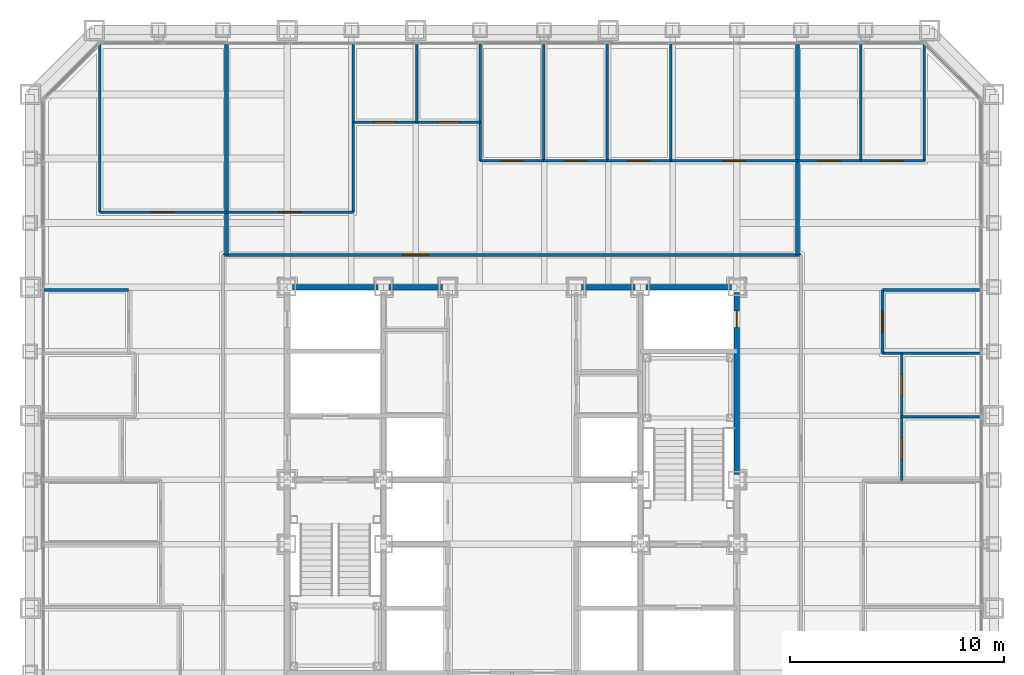
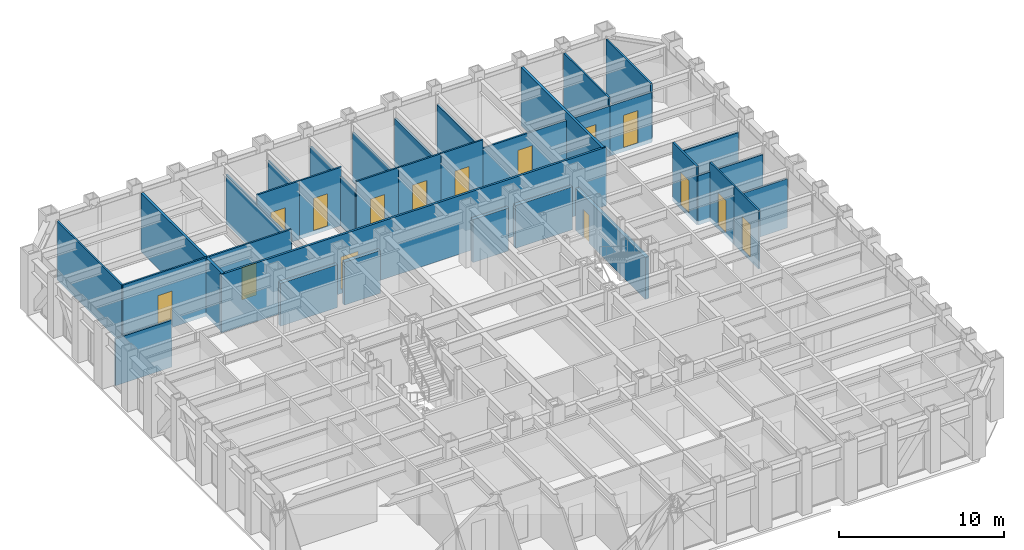
# One storey, part 11 of 16: 34 walls, 15 doors, 15 openings.
"""IFC4 building model written with IfcOpenShell, lengths in metres."""

from ifc_helpers import new_model, si_unit, direction, frame, frame_2d, origin, place, context, subcontext, project, spatial, rectangle, extrude, material, layer, layer_set, type_object, element, fill, save


model = new_model("IFC4")

# Units and contexts
model_context = context("Model", 3, precision=1e-05, world=origin(), true_north=direction((0.0, 1.0)))
body_context = subcontext(model_context, "Body", "Model", "MODEL_VIEW")
ifc_project = project(units=[si_unit("LENGTHUNIT", "METRE"), si_unit("AREAUNIT", "SQUARE_METRE"), si_unit("VOLUMEUNIT", "CUBIC_METRE"), si_unit("PLANEANGLEUNIT", "RADIAN"), si_unit("MASSUNIT", "GRAM", prefix="KILO")], contexts=[model_context])

# Site, building, storey
site_placement = place(None, origin())
site = spatial("IfcSite", under=ifc_project, at=site_placement, CompositionType="ELEMENT")
building_placement = place(site_placement, origin())
building = spatial("IfcBuilding", under=site, at=building_placement, Name="Chuquiago Exchange Tower", CompositionType="ELEMENT")
storey_placement = place(building_placement, frame((0.0, 0.0, 73.800048828125)))
storey = spatial("IfcBuildingStorey", under=building, at=storey_placement, Name="L15", CompositionType="ELEMENT", Elevation=73.800048828125)

# Walls
ifc_material_1 = material(Name="Concrete masonry, fully grouted", Category="masonry")
ifc_layer_1 = layer(ifc_material_1, 0.25)
ifc_layer_set_1 = layer_set([ifc_layer_1], Name="W1 core wall 250")
wall_type_1 = type_object("IfcWallType", Name="W1 core wall 250", PredefinedType="SOLIDWALL", material=ifc_layer_set_1)
wall_1_placement = place(storey_placement, frame((12.25, 33.0, 0.0), z_axis=(0.0, 0.0, 1.0), x_axis=(1.0, 0.0, 0.0)))
element("IfcWall", 1, at=wall_1_placement, inside=storey, type_object=wall_type_1, Name="CW-L15-11-0", PredefinedType="SOLIDWALL", context=body_context, shape_type="SweptSolid", body=[
    extrude(rectangle(XDim=4.0, YDim=0.25, at=frame_2d((2.0, 0.0))), origin(), (0.0, 0.0, 1.0), 3.181396484375),
])
for number, where, z_axis, x_axis, name in (
    (2, (16.75, 33.0, 0.0), (0.0, 0.0, 1.0), (1.0, 0.0, 0.0), "CW-L15-11-1"),
    (3, (25.75, 33.0, 0.0), (0.0, 0.0, 1.0), (1.0, 0.0, 0.0), "CW-L15-12-0"),
):
    element("IfcWall", number, at=place(storey_placement, frame(where, z_axis=z_axis, x_axis=x_axis)), inside=storey, type_object=wall_type_1, Name=name, PredefinedType="SOLIDWALL", context=body_context, shape_type="SweptSolid", body=[
        extrude(rectangle(XDim=2.5, YDim=0.25, at=frame_2d((1.25, 0.0))), origin(), (0.0, 0.0, 1.0), 3.181396484375),
    ])
wall_2_placement = place(storey_placement, frame((28.75, 33.0, 0.0), z_axis=(0.0, 0.0, 1.0), x_axis=(1.0, 0.0, 0.0)))
element("IfcWall", 4, at=wall_2_placement, inside=storey, type_object=wall_type_1, Name="CW-L15-12-1", PredefinedType="SOLIDWALL", context=body_context, shape_type="SweptSolid", body=[
    extrude(rectangle(XDim=4.0, YDim=0.25, at=frame_2d((2.0, 0.0))), origin(), (0.0, 0.0, 1.0), 3.181396484375),
])

# Wall, opening, door
wall_3_placement = place(storey_placement, frame((33.0, 24.25, 0.0), z_axis=(0.0, 0.0, 1.0), x_axis=(0.0, 1.0, 0.0)))
wall_3 = element("IfcWall", 5, at=wall_3_placement, inside=storey, type_object=wall_type_1, Name="CW-L15-25-2", PredefinedType="SOLIDWALL", context=body_context, shape_type="SweptSolid", body=[
    extrude(rectangle(XDim=8.5, YDim=0.25, at=frame_2d((4.25, 0.0))), origin(), (0.0, 0.0, 1.0), 3.11279296875),
])
opening_1_placement = place(wall_3_placement, frame((6.875, 0.0, 0.0)))
opening_1 = element("IfcOpeningElement", 6, at=opening_1_placement, cuts=wall_3, Name="Opening L15-010", PredefinedType="OPENING", context=body_context, shape_type="SweptSolid", body=[
    extrude(rectangle(XDim=0.75, YDim=2.10009765625, at=frame_2d((0.375, 1.050048828125))), frame((0.0, 0.135009765625, 0.0), z_axis=(0.0, -1.0, 0.0), x_axis=(1.0, 0.0, 0.0)), (0.0, 0.0, 1.0), 0.27001953125),
])
ifc_material_2 = material(Name="Steel door, painted", Category="steel")
door_type_1 = type_object("IfcDoorType", Name="D6 riser access door 750x2100", OperationType="SINGLE_SWING_LEFT", PredefinedType="DOOR", material=ifc_material_2)
door_1_placement = place(opening_1_placement, frame((0.75, 0.0, 0.0), z_axis=(0.0, 0.0, 1.0), x_axis=(-1.0, 0.0, 0.0)))
door_1 = element("IfcDoor", 7, at=door_1_placement, inside=storey, type_object=door_type_1, Name="Riser RE2 door", OperationType="SINGLE_SWING_LEFT", OverallHeight=2.10009765625, OverallWidth=0.75, PredefinedType="DOOR", context=body_context, shape_type="SweptSolid", body=[
    extrude(rectangle(XDim=0.75, YDim=2.10009765625, at=frame_2d((0.375, 1.050048828125))), frame((0.0, 0.02490234375, 0.0), z_axis=(0.0, -1.0, 0.0), x_axis=(1.0, 0.0, 0.0)), (0.0, 0.0, 1.0), 0.050048828125),
])
fill(opening_1, door_1)

ifc_material_3 = material(Name="Gypsum board on steel studs, acoustic insulation", Category="steel")
ifc_layer_2 = layer(ifc_material_3, 0.14990234375)
ifc_layer_set_2 = layer_set([ifc_layer_2], Name="W11 corridor wall 150")
wall_type_2 = type_object("IfcWallType", Name="W11 corridor wall 150", PredefinedType="PARTITIONING", material=ifc_layer_set_2)
wall_4_placement = place(storey_placement, frame((9.0, 34.5, -0.300048828125), z_axis=(0.0, 0.0, 1.0), x_axis=(1.0, 0.0, 0.0)))
wall_4 = element("IfcWall", 8, at=wall_4_placement, inside=storey, type_object=wall_type_2, Name="PW-L15-CN", PredefinedType="PARTITIONING", context=body_context, shape_type="SweptSolid", body=[
    extrude(rectangle(XDim=27.0, YDim=0.14990234375, at=frame_2d((13.5, 0.0))), origin(), (0.0, 0.0, 1.0), 4.340087890625),
])
opening_2_placement = place(wall_4_placement, frame((8.39990234375, 0.0, 0.300048828125)))
opening_2 = element("IfcOpeningElement", 9, at=opening_2_placement, cuts=wall_4, Name="Opening L15-057", PredefinedType="OPENING", context=body_context, shape_type="SweptSolid", body=[
    extrude(rectangle(XDim=1.199951171875, YDim=2.39990234375, at=frame_2d((0.60009765625, 1.199951171875))), frame((0.0, 0.0849609375, 0.0), z_axis=(0.0, -1.0, 0.0), x_axis=(1.0, 0.0, 0.0)), (0.0, 0.0, 1.0), 0.169921875),
])
ifc_material_4 = material(Name="Timber door, laminate faced", Category="wood")
door_type_2 = type_object("IfcDoorType", Name="D13 suite entrance door 1200x2400", OperationType="SINGLE_SWING_LEFT", PredefinedType="DOOR", material=ifc_material_4)
door_2_placement = place(opening_2_placement, origin())
door_2 = element("IfcDoor", 10, at=door_2_placement, inside=storey, type_object=door_type_2, Name="North suite entrance door", OperationType="SINGLE_SWING_LEFT", OverallHeight=2.39990234375, OverallWidth=1.199951171875, PredefinedType="DOOR", context=body_context, shape_type="SweptSolid", body=[
    extrude(rectangle(XDim=1.199951171875, YDim=2.39990234375, at=frame_2d((0.60009765625, 1.199951171875))), frame((0.0, 0.02490234375, 0.0), z_axis=(0.0, -1.0, 0.0), x_axis=(1.0, 0.0, 0.0)), (0.0, 0.0, 1.0), 0.050048828125),
])
fill(opening_2, door_2)

# Walls
ifc_material_5 = material(Name="Gypsum board on twin steel studs, acoustic insulation", Category="steel")
ifc_layer_3 = layer(ifc_material_5, 0.175048828125)
ifc_layer_set_3 = layer_set([ifc_layer_3], Name="W12 tenant demising wall 175")
wall_type_3 = type_object("IfcWallType", Name="W12 tenant demising wall 175", PredefinedType="PARTITIONING", material=ifc_layer_set_3)
for number, where, z_axis, x_axis, name in (
    (11, (9.172119140625, 44.342529296875, -0.300048828125), (0.0, 0.0, 1.0), (0.0, -1.0, 0.0), "PW-L15-DN00917"),
    (12, (35.827880859375, 44.342529296875, -0.300048828125), (0.0, 0.0, 1.0), (0.0, -1.0, 0.0), "PW-L15-DN03583"),
):
    element("IfcWall", number, at=place(storey_placement, frame(where, z_axis=z_axis, x_axis=x_axis)), inside=storey, type_object=wall_type_3, Name=name, PredefinedType="PARTITIONING", context=body_context, shape_type="SweptSolid", body=[
        extrude(rectangle(XDim=9.842529296875, YDim=0.175048828125, at=frame_2d((4.92138671875, 0.0))), origin(), (0.0, 0.0, 1.0), 4.340087890625),
    ])
ifc_material_6 = material(Name="Gypsum board on steel studs", Category="steel")
ifc_layer_4 = layer(ifc_material_6, 0.1201171875)
ifc_layer_set_4 = layer_set([ifc_layer_4], Name="W4 partition 120")
wall_type_4 = type_object("IfcWallType", Name="W4 partition 120", PredefinedType="PARTITIONING", material=ifc_layer_set_4)
wall_5_placement = place(storey_placement, frame((44.342529296875, 26.942626953125, -0.300048828125), z_axis=(0.0, 0.0, 1.0), x_axis=(-1.0, 0.0, 0.0)))
element("IfcWall", 13, at=wall_5_placement, inside=storey, type_object=wall_type_4, Name="PW-L15-E02694", PredefinedType="PARTITIONING", context=body_context, shape_type="SweptSolid", body=[
    extrude(rectangle(XDim=3.642578125, YDim=0.1201171875, at=frame_2d((1.8212890625, 0.0))), origin(), (0.0, 0.0, 1.0), 3.646484375),
])
wall_6_placement = place(storey_placement, frame((44.342529296875, 29.904296875, -0.300048828125), z_axis=(0.0, 0.0, 1.0), x_axis=(-1.0, 0.0, 0.0)))
element("IfcWall", 14, at=wall_6_placement, inside=storey, type_object=wall_type_4, Name="PW-L15-E02990", PredefinedType="PARTITIONING", context=body_context, shape_type="SweptSolid", body=[
    extrude(rectangle(XDim=4.54248046875, YDim=0.1201171875, at=frame_2d((2.271240234375, 0.0))), origin(), (0.0, 0.0, 1.0), 3.646484375),
])
wall_7_placement = place(storey_placement, frame((44.342529296875, 32.8662109375, -0.300048828125), z_axis=(0.0, 0.0, 1.0), x_axis=(-1.0, 0.0, 0.0)))
element("IfcWall", 15, at=wall_7_placement, inside=storey, type_object=wall_type_4, Name="PW-L15-E03287", PredefinedType="PARTITIONING", context=body_context, shape_type="SweptSolid", body=[
    extrude(rectangle(XDim=4.54248046875, YDim=0.1201171875, at=frame_2d((2.271240234375, 0.0))), origin(), (0.0, 0.0, 1.0), 3.4814453125),
])

# Wall, opening, door
wall_8_placement = place(storey_placement, frame((40.699951171875, 23.98095703125, -0.300048828125), z_axis=(0.0, 0.0, 1.0), x_axis=(0.0, 1.0, 0.0)))
wall_8 = element("IfcWall", 16, at=wall_8_placement, inside=storey, type_object=wall_type_4, Name="PW-L15-EF02398", PredefinedType="PARTITIONING", context=body_context, shape_type="SweptSolid", body=[
    extrude(rectangle(XDim=2.961669921875, YDim=0.1201171875, at=frame_2d((1.48095703125, 0.0))), origin(), (0.0, 0.0, 1.0), 4.340087890625),
])
opening_3_placement = place(wall_8_placement, frame((0.98095703125, 0.0, 0.300048828125)))
opening_3 = element("IfcOpeningElement", 17, at=opening_3_placement, cuts=wall_8, Name="Opening L15-037", PredefinedType="OPENING", context=body_context, shape_type="SweptSolid", body=[
    extrude(rectangle(XDim=1.0, YDim=2.39990234375, at=frame_2d((0.5, 1.199951171875))), frame((0.0, 0.070068359375, 0.0), z_axis=(0.0, -1.0, 0.0), x_axis=(1.0, 0.0, 0.0)), (0.0, 0.0, 1.0), 0.14013671875),
])
ifc_material_7 = material(Name="Timber frame door, full height glazed panel", Category="wood")
door_type_3 = type_object("IfcDoorType", Name="D14 glazed meeting room door 1000x2400", OperationType="SINGLE_SWING_LEFT", PredefinedType="DOOR", material=ifc_material_7)
door_3_placement = place(opening_3_placement, frame((1.0, 0.0, 0.0), z_axis=(0.0, 0.0, 1.0), x_axis=(-1.0, 0.0, 0.0)))
door_3 = element("IfcDoor", 18, at=door_3_placement, inside=storey, type_object=door_type_3, Name="Focus room door", OperationType="SINGLE_SWING_LEFT", OverallHeight=2.39990234375, OverallWidth=1.0, PredefinedType="DOOR", context=body_context, shape_type="SweptSolid", body=[
    extrude(rectangle(XDim=1.0, YDim=2.39990234375, at=frame_2d((0.5, 1.199951171875))), frame((0.0, 0.02490234375, 0.0), z_axis=(0.0, -1.0, 0.0), x_axis=(1.0, 0.0, 0.0)), (0.0, 0.0, 1.0), 0.050048828125),
])
fill(opening_3, door_3)

wall_9_placement = place(storey_placement, frame((40.699951171875, 26.942626953125, -0.300048828125), z_axis=(0.0, 0.0, 1.0), x_axis=(0.0, 1.0, 0.0)))
wall_9 = element("IfcWall", 19, at=wall_9_placement, inside=storey, type_object=wall_type_4, Name="PW-L15-EF02694", PredefinedType="PARTITIONING", context=body_context, shape_type="SweptSolid", body=[
    extrude(rectangle(XDim=2.961669921875, YDim=0.1201171875, at=frame_2d((1.48095703125, 0.0))), origin(), (0.0, 0.0, 1.0), 4.340087890625),
])
opening_4_placement = place(wall_9_placement, frame((0.98095703125, 0.0, 0.300048828125)))
opening_4 = element("IfcOpeningElement", 20, at=opening_4_placement, cuts=wall_9, Name="Opening L15-038", PredefinedType="OPENING", context=body_context, shape_type="SweptSolid", body=[
    extrude(rectangle(XDim=1.0, YDim=2.39990234375, at=frame_2d((0.5, 1.199951171875))), frame((0.0, 0.070068359375, 0.0), z_axis=(0.0, -1.0, 0.0), x_axis=(1.0, 0.0, 0.0)), (0.0, 0.0, 1.0), 0.14013671875),
])
door_4_placement = place(opening_4_placement, frame((1.0, 0.0, 0.0), z_axis=(0.0, 0.0, 1.0), x_axis=(-1.0, 0.0, 0.0)))
door_4 = element("IfcDoor", 21, at=door_4_placement, inside=storey, type_object=door_type_3, Name="Focus room door", OperationType="SINGLE_SWING_RIGHT", OverallHeight=2.39990234375, OverallWidth=1.0, PredefinedType="DOOR", context=body_context, shape_type="SweptSolid", body=[
    extrude(rectangle(XDim=1.0, YDim=2.39990234375, at=frame_2d((0.5, 1.199951171875))), frame((0.0, 0.02490234375, 0.0), z_axis=(0.0, -1.0, 0.0), x_axis=(1.0, 0.0, 0.0)), (0.0, 0.0, 1.0), 0.050048828125),
])
fill(opening_4, door_4)

wall_10_placement = place(storey_placement, frame((39.800048828125, 29.904296875, -0.300048828125), z_axis=(0.0, 0.0, 1.0), x_axis=(0.0, 1.0, 0.0)))
wall_10 = element("IfcWall", 22, at=wall_10_placement, inside=storey, type_object=wall_type_4, Name="PW-L15-EF02990", PredefinedType="PARTITIONING", context=body_context, shape_type="SweptSolid", body=[
    extrude(rectangle(XDim=2.9619140625, YDim=0.1201171875, at=frame_2d((1.48095703125, 0.0))), origin(), (0.0, 0.0, 1.0), 4.340087890625),
])
opening_5_placement = place(wall_10_placement, frame((0.98095703125, 0.0, 0.300048828125)))
opening_5 = element("IfcOpeningElement", 23, at=opening_5_placement, cuts=wall_10, Name="Opening L15-039", PredefinedType="OPENING", context=body_context, shape_type="SweptSolid", body=[
    extrude(rectangle(XDim=1.0, YDim=2.39990234375, at=frame_2d((0.5, 1.199951171875))), frame((0.0, 0.070068359375, 0.0), z_axis=(0.0, -1.0, 0.0), x_axis=(1.0, 0.0, 0.0)), (0.0, 0.0, 1.0), 0.14013671875),
])
ifc_material_8 = material(Name="Timber door, laminate faced", Category="wood")
door_type_4 = type_object("IfcDoorType", Name="D9 room door 1000x2400", OperationType="SINGLE_SWING_LEFT", PredefinedType="DOOR", material=ifc_material_8)
door_5_placement = place(opening_5_placement, frame((1.0, 0.0, 0.0), z_axis=(0.0, 0.0, 1.0), x_axis=(-1.0, 0.0, 0.0)))
door_5 = element("IfcDoor", 24, at=door_5_placement, inside=storey, type_object=door_type_4, Name="Comms room door", OperationType="SINGLE_SWING_RIGHT", OverallHeight=2.39990234375, OverallWidth=1.0, PredefinedType="DOOR", context=body_context, shape_type="SweptSolid", body=[
    extrude(rectangle(XDim=1.0, YDim=2.39990234375, at=frame_2d((0.5, 1.199951171875))), frame((0.0, 0.02490234375, 0.0), z_axis=(0.0, -1.0, 0.0), x_axis=(1.0, 0.0, 0.0)), (0.0, 0.0, 1.0), 0.050048828125),
])
fill(opening_5, door_5)

# Walls
wall_11_placement = place(storey_placement, frame((3.24853515625, 44.333984375, -0.300048828125), z_axis=(0.0, 0.0, 1.0), x_axis=(0.0, -1.0, 0.0)))
element("IfcWall", 25, at=wall_11_placement, inside=storey, type_object=wall_type_4, Name="PW-L15-N00325", PredefinedType="PARTITIONING", context=body_context, shape_type="SweptSolid", body=[
    extrude(rectangle(XDim=7.833984375, YDim=0.1201171875, at=frame_2d((3.9169921875, 0.0))), origin(), (0.0, 0.0, 1.0), 4.340087890625),
])
wall_12_placement = place(storey_placement, frame((15.095703125, 44.342529296875, -0.300048828125), z_axis=(0.0, 0.0, 1.0), x_axis=(0.0, -1.0, 0.0)))
element("IfcWall", 26, at=wall_12_placement, inside=storey, type_object=wall_type_4, Name="PW-L15-N01510", PredefinedType="PARTITIONING", context=body_context, shape_type="SweptSolid", body=[
    extrude(rectangle(XDim=7.842529296875, YDim=0.1201171875, at=frame_2d((3.92138671875, 0.0))), origin(), (0.0, 0.0, 1.0), 3.646484375),
])
wall_13_placement = place(storey_placement, frame((18.057373046875, 44.342529296875, -0.300048828125), z_axis=(0.0, 0.0, 1.0), x_axis=(0.0, -1.0, 0.0)))
element("IfcWall", 27, at=wall_13_placement, inside=storey, type_object=wall_type_4, Name="PW-L15-N01806", PredefinedType="PARTITIONING", context=body_context, shape_type="SweptSolid", body=[
    extrude(rectangle(XDim=3.642578125, YDim=0.1201171875, at=frame_2d((1.8212890625, 0.0))), origin(), (0.0, 0.0, 1.0), 3.646484375),
])
for number, where, z_axis, x_axis, name in (
    (28, (21.01904296875, 44.342529296875, -0.300048828125), (0.0, 0.0, 1.0), (0.0, -1.0, 0.0), "PW-L15-N02102"),
    (29, (23.98095703125, 44.342529296875, -0.300048828125), (0.0, 0.0, 1.0), (0.0, -1.0, 0.0), "PW-L15-N02398"),
    (30, (26.942626953125, 44.342529296875, -0.300048828125), (0.0, 0.0, 1.0), (0.0, -1.0, 0.0), "PW-L15-N02694"),
    (31, (29.904296875, 44.342529296875, -0.300048828125), (0.0, 0.0, 1.0), (0.0, -1.0, 0.0), "PW-L15-N02990"),
):
    element("IfcWall", number, at=place(storey_placement, frame(where, z_axis=z_axis, x_axis=x_axis)), inside=storey, type_object=wall_type_4, Name=name, PredefinedType="PARTITIONING", context=body_context, shape_type="SweptSolid", body=[
        extrude(rectangle(XDim=5.442626953125, YDim=0.1201171875, at=frame_2d((2.72119140625, 0.0))), origin(), (0.0, 0.0, 1.0), 3.646484375),
    ])
wall_14_placement = place(storey_placement, frame((38.789794921875, 44.342529296875, -0.300048828125), z_axis=(0.0, 0.0, 1.0), x_axis=(0.0, -1.0, 0.0)))
element("IfcWall", 32, at=wall_14_placement, inside=storey, type_object=wall_type_4, Name="PW-L15-N03879", PredefinedType="PARTITIONING", context=body_context, shape_type="SweptSolid", body=[
    extrude(rectangle(XDim=5.442626953125, YDim=0.1201171875, at=frame_2d((2.72119140625, 0.0))), origin(), (0.0, 0.0, 1.0), 4.340087890625),
])
wall_15_placement = place(storey_placement, frame((41.75146484375, 44.333984375, -0.300048828125), z_axis=(0.0, 0.0, 1.0), x_axis=(0.0, -1.0, 0.0)))
element("IfcWall", 33, at=wall_15_placement, inside=storey, type_object=wall_type_4, Name="PW-L15-N04175", PredefinedType="PARTITIONING", context=body_context, shape_type="SweptSolid", body=[
    extrude(rectangle(XDim=5.43408203125, YDim=0.1201171875, at=frame_2d((2.717041015625, 0.0))), origin(), (0.0, 0.0, 1.0), 4.340087890625),
])

# Wall, opening, door
wall_16_placement = place(storey_placement, frame((3.24853515625, 36.5, -0.300048828125), z_axis=(0.0, 0.0, 1.0), x_axis=(1.0, 0.0, 0.0)))
wall_16 = element("IfcWall", 34, at=wall_16_placement, inside=storey, type_object=wall_type_4, Name="PW-L15-NF00325", PredefinedType="PARTITIONING", context=body_context, shape_type="SweptSolid", body=[
    extrude(rectangle(XDim=5.923583984375, YDim=0.1201171875, at=frame_2d((2.9619140625, 0.0))), origin(), (0.0, 0.0, 1.0), 4.340087890625),
])
opening_6_placement = place(wall_16_placement, frame((2.4619140625, 0.0, 0.300048828125)))
opening_6 = element("IfcOpeningElement", 35, at=opening_6_placement, cuts=wall_16, Name="Opening L15-040", PredefinedType="OPENING", context=body_context, shape_type="SweptSolid", body=[
    extrude(rectangle(XDim=1.0, YDim=2.39990234375, at=frame_2d((0.5, 1.199951171875))), frame((0.0, 0.070068359375, 0.0), z_axis=(0.0, -1.0, 0.0), x_axis=(1.0, 0.0, 0.0)), (0.0, 0.0, 1.0), 0.14013671875),
])
door_6_placement = place(opening_6_placement, origin())
door_6 = element("IfcDoor", 36, at=door_6_placement, inside=storey, type_object=door_type_4, Name="Settlement office door", OperationType="SINGLE_SWING_RIGHT", OverallHeight=2.39990234375, OverallWidth=1.0, PredefinedType="DOOR", context=body_context, shape_type="SweptSolid", body=[
    extrude(rectangle(XDim=1.0, YDim=2.39990234375, at=frame_2d((0.5, 1.199951171875))), frame((0.0, 0.02490234375, 0.0), z_axis=(0.0, -1.0, 0.0), x_axis=(1.0, 0.0, 0.0)), (0.0, 0.0, 1.0), 0.050048828125),
])
fill(opening_6, door_6)

wall_17_placement = place(storey_placement, frame((9.172119140625, 36.5, -0.300048828125), z_axis=(0.0, 0.0, 1.0), x_axis=(1.0, 0.0, 0.0)))
wall_17 = element("IfcWall", 37, at=wall_17_placement, inside=storey, type_object=wall_type_4, Name="PW-L15-NF00917", PredefinedType="PARTITIONING", context=body_context, shape_type="SweptSolid", body=[
    extrude(rectangle(XDim=5.923583984375, YDim=0.1201171875, at=frame_2d((2.9619140625, 0.0))), origin(), (0.0, 0.0, 1.0), 4.340087890625),
])
opening_7_placement = place(wall_17_placement, frame((2.461669921875, 0.0, 0.300048828125)))
opening_7 = element("IfcOpeningElement", 38, at=opening_7_placement, cuts=wall_17, Name="Opening L15-041", PredefinedType="OPENING", context=body_context, shape_type="SweptSolid", body=[
    extrude(rectangle(XDim=1.0, YDim=2.39990234375, at=frame_2d((0.5, 1.199951171875))), frame((0.0, 0.070068359375, 0.0), z_axis=(0.0, -1.0, 0.0), x_axis=(1.0, 0.0, 0.0)), (0.0, 0.0, 1.0), 0.14013671875),
])
door_7_placement = place(opening_7_placement, origin())
door_7 = element("IfcDoor", 39, at=door_7_placement, inside=storey, type_object=door_type_4, Name="Settlement office door", OperationType="SINGLE_SWING_LEFT", OverallHeight=2.39990234375, OverallWidth=1.0, PredefinedType="DOOR", context=body_context, shape_type="SweptSolid", body=[
    extrude(rectangle(XDim=1.0, YDim=2.39990234375, at=frame_2d((0.5, 1.199951171875))), frame((0.0, 0.02490234375, 0.0), z_axis=(0.0, -1.0, 0.0), x_axis=(1.0, 0.0, 0.0)), (0.0, 0.0, 1.0), 0.050048828125),
])
fill(opening_7, door_7)

wall_18_placement = place(storey_placement, frame((15.095703125, 40.699951171875, -0.300048828125), z_axis=(0.0, 0.0, 1.0), x_axis=(1.0, 0.0, 0.0)))
wall_18 = element("IfcWall", 40, at=wall_18_placement, inside=storey, type_object=wall_type_4, Name="PW-L15-NF01510", PredefinedType="PARTITIONING", context=body_context, shape_type="SweptSolid", body=[
    extrude(rectangle(XDim=2.961669921875, YDim=0.1201171875, at=frame_2d((1.48095703125, 0.0))), origin(), (0.0, 0.0, 1.0), 4.340087890625),
])
opening_8_placement = place(wall_18_placement, frame((0.98095703125, 0.0, 0.300048828125)))
opening_8 = element("IfcOpeningElement", 41, at=opening_8_placement, cuts=wall_18, Name="Opening L15-042", PredefinedType="OPENING", context=body_context, shape_type="SweptSolid", body=[
    extrude(rectangle(XDim=1.0, YDim=2.39990234375, at=frame_2d((0.5, 1.199951171875))), frame((0.0, 0.070068359375, 0.0), z_axis=(0.0, -1.0, 0.0), x_axis=(1.0, 0.0, 0.0)), (0.0, 0.0, 1.0), 0.14013671875),
])
door_8_placement = place(opening_8_placement, origin())
door_8 = element("IfcDoor", 42, at=door_8_placement, inside=storey, type_object=door_type_3, Name="Focus room door", OperationType="SINGLE_SWING_LEFT", OverallHeight=2.39990234375, OverallWidth=1.0, PredefinedType="DOOR", context=body_context, shape_type="SweptSolid", body=[
    extrude(rectangle(XDim=1.0, YDim=2.39990234375, at=frame_2d((0.5, 1.199951171875))), frame((0.0, 0.02490234375, 0.0), z_axis=(0.0, -1.0, 0.0), x_axis=(1.0, 0.0, 0.0)), (0.0, 0.0, 1.0), 0.050048828125),
])
fill(opening_8, door_8)

wall_19_placement = place(storey_placement, frame((18.057373046875, 40.699951171875, -0.300048828125), z_axis=(0.0, 0.0, 1.0), x_axis=(1.0, 0.0, 0.0)))
wall_19 = element("IfcWall", 43, at=wall_19_placement, inside=storey, type_object=wall_type_4, Name="PW-L15-NF01806", PredefinedType="PARTITIONING", context=body_context, shape_type="SweptSolid", body=[
    extrude(rectangle(XDim=2.961669921875, YDim=0.1201171875, at=frame_2d((1.48095703125, 0.0))), origin(), (0.0, 0.0, 1.0), 4.340087890625),
])
opening_9_placement = place(wall_19_placement, frame((0.98095703125, 0.0, 0.300048828125)))
opening_9 = element("IfcOpeningElement", 44, at=opening_9_placement, cuts=wall_19, Name="Opening L15-043", PredefinedType="OPENING", context=body_context, shape_type="SweptSolid", body=[
    extrude(rectangle(XDim=1.0, YDim=2.39990234375, at=frame_2d((0.5, 1.199951171875))), frame((0.0, 0.070068359375, 0.0), z_axis=(0.0, -1.0, 0.0), x_axis=(1.0, 0.0, 0.0)), (0.0, 0.0, 1.0), 0.14013671875),
])
door_9_placement = place(opening_9_placement, origin())
door_9 = element("IfcDoor", 45, at=door_9_placement, inside=storey, type_object=door_type_3, Name="Focus room door", OperationType="SINGLE_SWING_RIGHT", OverallHeight=2.39990234375, OverallWidth=1.0, PredefinedType="DOOR", context=body_context, shape_type="SweptSolid", body=[
    extrude(rectangle(XDim=1.0, YDim=2.39990234375, at=frame_2d((0.5, 1.199951171875))), frame((0.0, 0.02490234375, 0.0), z_axis=(0.0, -1.0, 0.0), x_axis=(1.0, 0.0, 0.0)), (0.0, 0.0, 1.0), 0.050048828125),
])
fill(opening_9, door_9)

wall_20_placement = place(storey_placement, frame((21.01904296875, 38.89990234375, -0.300048828125), z_axis=(0.0, 0.0, 1.0), x_axis=(1.0, 0.0, 0.0)))
wall_20 = element("IfcWall", 46, at=wall_20_placement, inside=storey, type_object=wall_type_4, Name="PW-L15-NF02102", PredefinedType="PARTITIONING", context=body_context, shape_type="SweptSolid", body=[
    extrude(rectangle(XDim=2.9619140625, YDim=0.1201171875, at=frame_2d((1.48095703125, 0.0))), origin(), (0.0, 0.0, 1.0), 4.340087890625),
])
opening_10_placement = place(wall_20_placement, frame((0.98095703125, 0.0, 0.300048828125)))
opening_10 = element("IfcOpeningElement", 47, at=opening_10_placement, cuts=wall_20, Name="Opening L15-044", PredefinedType="OPENING", context=body_context, shape_type="SweptSolid", body=[
    extrude(rectangle(XDim=1.0, YDim=2.39990234375, at=frame_2d((0.5, 1.199951171875))), frame((0.0, 0.070068359375, 0.0), z_axis=(0.0, -1.0, 0.0), x_axis=(1.0, 0.0, 0.0)), (0.0, 0.0, 1.0), 0.14013671875),
])
door_10_placement = place(opening_10_placement, origin())
door_10 = element("IfcDoor", 48, at=door_10_placement, inside=storey, type_object=door_type_4, Name="Office door", OperationType="SINGLE_SWING_RIGHT", OverallHeight=2.39990234375, OverallWidth=1.0, PredefinedType="DOOR", context=body_context, shape_type="SweptSolid", body=[
    extrude(rectangle(XDim=1.0, YDim=2.39990234375, at=frame_2d((0.5, 1.199951171875))), frame((0.0, 0.02490234375, 0.0), z_axis=(0.0, -1.0, 0.0), x_axis=(1.0, 0.0, 0.0)), (0.0, 0.0, 1.0), 0.050048828125),
])
fill(opening_10, door_10)

wall_21_placement = place(storey_placement, frame((23.98095703125, 38.89990234375, -0.300048828125), z_axis=(0.0, 0.0, 1.0), x_axis=(1.0, 0.0, 0.0)))
wall_21 = element("IfcWall", 49, at=wall_21_placement, inside=storey, type_object=wall_type_4, Name="PW-L15-NF02398", PredefinedType="PARTITIONING", context=body_context, shape_type="SweptSolid", body=[
    extrude(rectangle(XDim=2.961669921875, YDim=0.1201171875, at=frame_2d((1.48095703125, 0.0))), origin(), (0.0, 0.0, 1.0), 4.340087890625),
])
opening_11_placement = place(wall_21_placement, frame((0.98095703125, 0.0, 0.300048828125)))
opening_11 = element("IfcOpeningElement", 50, at=opening_11_placement, cuts=wall_21, Name="Opening L15-045", PredefinedType="OPENING", context=body_context, shape_type="SweptSolid", body=[
    extrude(rectangle(XDim=1.0, YDim=2.39990234375, at=frame_2d((0.5, 1.199951171875))), frame((0.0, 0.070068359375, 0.0), z_axis=(0.0, -1.0, 0.0), x_axis=(1.0, 0.0, 0.0)), (0.0, 0.0, 1.0), 0.14013671875),
])
door_11_placement = place(opening_11_placement, origin())
door_11 = element("IfcDoor", 51, at=door_11_placement, inside=storey, type_object=door_type_4, Name="Office door", OperationType="SINGLE_SWING_RIGHT", OverallHeight=2.39990234375, OverallWidth=1.0, PredefinedType="DOOR", context=body_context, shape_type="SweptSolid", body=[
    extrude(rectangle(XDim=1.0, YDim=2.39990234375, at=frame_2d((0.5, 1.199951171875))), frame((0.0, 0.02490234375, 0.0), z_axis=(0.0, -1.0, 0.0), x_axis=(1.0, 0.0, 0.0)), (0.0, 0.0, 1.0), 0.050048828125),
])
fill(opening_11, door_11)

wall_22_placement = place(storey_placement, frame((26.942626953125, 38.89990234375, -0.300048828125), z_axis=(0.0, 0.0, 1.0), x_axis=(1.0, 0.0, 0.0)))
wall_22 = element("IfcWall", 52, at=wall_22_placement, inside=storey, type_object=wall_type_4, Name="PW-L15-NF02694", PredefinedType="PARTITIONING", context=body_context, shape_type="SweptSolid", body=[
    extrude(rectangle(XDim=2.961669921875, YDim=0.1201171875, at=frame_2d((1.48095703125, 0.0))), origin(), (0.0, 0.0, 1.0), 4.340087890625),
])
opening_12_placement = place(wall_22_placement, frame((0.98095703125, 0.0, 0.300048828125)))
opening_12 = element("IfcOpeningElement", 53, at=opening_12_placement, cuts=wall_22, Name="Opening L15-046", PredefinedType="OPENING", context=body_context, shape_type="SweptSolid", body=[
    extrude(rectangle(XDim=1.0, YDim=2.39990234375, at=frame_2d((0.5, 1.199951171875))), frame((0.0, 0.070068359375, 0.0), z_axis=(0.0, -1.0, 0.0), x_axis=(1.0, 0.0, 0.0)), (0.0, 0.0, 1.0), 0.14013671875),
])
door_12_placement = place(opening_12_placement, origin())
door_12 = element("IfcDoor", 54, at=door_12_placement, inside=storey, type_object=door_type_4, Name="Office door", OperationType="SINGLE_SWING_LEFT", OverallHeight=2.39990234375, OverallWidth=1.0, PredefinedType="DOOR", context=body_context, shape_type="SweptSolid", body=[
    extrude(rectangle(XDim=1.0, YDim=2.39990234375, at=frame_2d((0.5, 1.199951171875))), frame((0.0, 0.02490234375, 0.0), z_axis=(0.0, -1.0, 0.0), x_axis=(1.0, 0.0, 0.0)), (0.0, 0.0, 1.0), 0.050048828125),
])
fill(opening_12, door_12)

wall_23_placement = place(storey_placement, frame((29.904296875, 38.89990234375, -0.300048828125), z_axis=(0.0, 0.0, 1.0), x_axis=(1.0, 0.0, 0.0)))
wall_23 = element("IfcWall", 55, at=wall_23_placement, inside=storey, type_object=wall_type_4, Name="PW-L15-NF02990", PredefinedType="PARTITIONING", context=body_context, shape_type="SweptSolid", body=[
    extrude(rectangle(XDim=5.923583984375, YDim=0.1201171875, at=frame_2d((2.9619140625, 0.0))), origin(), (0.0, 0.0, 1.0), 3.722900390625),
])
opening_13_placement = place(wall_23_placement, frame((2.4619140625, 0.0, 0.300048828125)))
opening_13 = element("IfcOpeningElement", 56, at=opening_13_placement, cuts=wall_23, Name="Opening L15-047", PredefinedType="OPENING", context=body_context, shape_type="SweptSolid", body=[
    extrude(rectangle(XDim=1.0, YDim=2.39990234375, at=frame_2d((0.5, 1.199951171875))), frame((0.0, 0.070068359375, 0.0), z_axis=(0.0, -1.0, 0.0), x_axis=(1.0, 0.0, 0.0)), (0.0, 0.0, 1.0), 0.14013671875),
])
door_13_placement = place(opening_13_placement, origin())
door_13 = element("IfcDoor", 57, at=door_13_placement, inside=storey, type_object=door_type_3, Name="Meeting room door", OperationType="SINGLE_SWING_RIGHT", OverallHeight=2.39990234375, OverallWidth=1.0, PredefinedType="DOOR", context=body_context, shape_type="SweptSolid", body=[
    extrude(rectangle(XDim=1.0, YDim=2.39990234375, at=frame_2d((0.5, 1.199951171875))), frame((0.0, 0.02490234375, 0.0), z_axis=(0.0, -1.0, 0.0), x_axis=(1.0, 0.0, 0.0)), (0.0, 0.0, 1.0), 0.050048828125),
])
fill(opening_13, door_13)

wall_24_placement = place(storey_placement, frame((35.827880859375, 38.89990234375, -0.300048828125), z_axis=(0.0, 0.0, 1.0), x_axis=(1.0, 0.0, 0.0)))
wall_24 = element("IfcWall", 58, at=wall_24_placement, inside=storey, type_object=wall_type_4, Name="PW-L15-NF03583", PredefinedType="PARTITIONING", context=body_context, shape_type="SweptSolid", body=[
    extrude(rectangle(XDim=2.9619140625, YDim=0.1201171875, at=frame_2d((1.48095703125, 0.0))), origin(), (0.0, 0.0, 1.0), 3.722900390625),
])
opening_14_placement = place(wall_24_placement, frame((0.98095703125, 0.0, 0.300048828125)))
opening_14 = element("IfcOpeningElement", 59, at=opening_14_placement, cuts=wall_24, Name="Opening L15-048", PredefinedType="OPENING", context=body_context, shape_type="SweptSolid", body=[
    extrude(rectangle(XDim=1.0, YDim=2.39990234375, at=frame_2d((0.5, 1.199951171875))), frame((0.0, 0.070068359375, 0.0), z_axis=(0.0, -1.0, 0.0), x_axis=(1.0, 0.0, 0.0)), (0.0, 0.0, 1.0), 0.14013671875),
])
door_14_placement = place(opening_14_placement, origin())
door_14 = element("IfcDoor", 60, at=door_14_placement, inside=storey, type_object=door_type_4, Name="Office door", OperationType="SINGLE_SWING_LEFT", OverallHeight=2.39990234375, OverallWidth=1.0, PredefinedType="DOOR", context=body_context, shape_type="SweptSolid", body=[
    extrude(rectangle(XDim=1.0, YDim=2.39990234375, at=frame_2d((0.5, 1.199951171875))), frame((0.0, 0.02490234375, 0.0), z_axis=(0.0, -1.0, 0.0), x_axis=(1.0, 0.0, 0.0)), (0.0, 0.0, 1.0), 0.050048828125),
])
fill(opening_14, door_14)

wall_25_placement = place(storey_placement, frame((38.789794921875, 38.89990234375, -0.300048828125), z_axis=(0.0, 0.0, 1.0), x_axis=(1.0, 0.0, 0.0)))
wall_25 = element("IfcWall", 61, at=wall_25_placement, inside=storey, type_object=wall_type_4, Name="PW-L15-NF03879", PredefinedType="PARTITIONING", context=body_context, shape_type="SweptSolid", body=[
    extrude(rectangle(XDim=2.961669921875, YDim=0.1201171875, at=frame_2d((1.48095703125, 0.0))), origin(), (0.0, 0.0, 1.0), 3.722900390625),
])
opening_15_placement = place(wall_25_placement, frame((0.98095703125, 0.0, 0.300048828125)))
opening_15 = element("IfcOpeningElement", 62, at=opening_15_placement, cuts=wall_25, Name="Opening L15-049", PredefinedType="OPENING", context=body_context, shape_type="SweptSolid", body=[
    extrude(rectangle(XDim=1.0, YDim=2.39990234375, at=frame_2d((0.5, 1.199951171875))), frame((0.0, 0.070068359375, 0.0), z_axis=(0.0, -1.0, 0.0), x_axis=(1.0, 0.0, 0.0)), (0.0, 0.0, 1.0), 0.14013671875),
])
door_15_placement = place(opening_15_placement, origin())
door_15 = element("IfcDoor", 63, at=door_15_placement, inside=storey, type_object=door_type_4, Name="Office door", OperationType="SINGLE_SWING_RIGHT", OverallHeight=2.39990234375, OverallWidth=1.0, PredefinedType="DOOR", context=body_context, shape_type="SweptSolid", body=[
    extrude(rectangle(XDim=1.0, YDim=2.39990234375, at=frame_2d((0.5, 1.199951171875))), frame((0.0, 0.02490234375, 0.0), z_axis=(0.0, -1.0, 0.0), x_axis=(1.0, 0.0, 0.0)), (0.0, 0.0, 1.0), 0.050048828125),
])
fill(opening_15, door_15)

# Wall
wall_26_placement = place(storey_placement, frame((0.657470703125, 32.8662109375, -0.300048828125), z_axis=(0.0, 0.0, 1.0), x_axis=(1.0, 0.0, 0.0)))
element("IfcWall", 64, at=wall_26_placement, inside=storey, type_object=wall_type_4, Name="PW-L15-W03287", PredefinedType="PARTITIONING", context=body_context, shape_type="SweptSolid", body=[
    extrude(rectangle(XDim=3.942626953125, YDim=0.1201171875, at=frame_2d((1.97119140625, 0.0))), origin(), (0.0, 0.0, 1.0), 3.4814453125),
])

save(model, "model.ifc")
